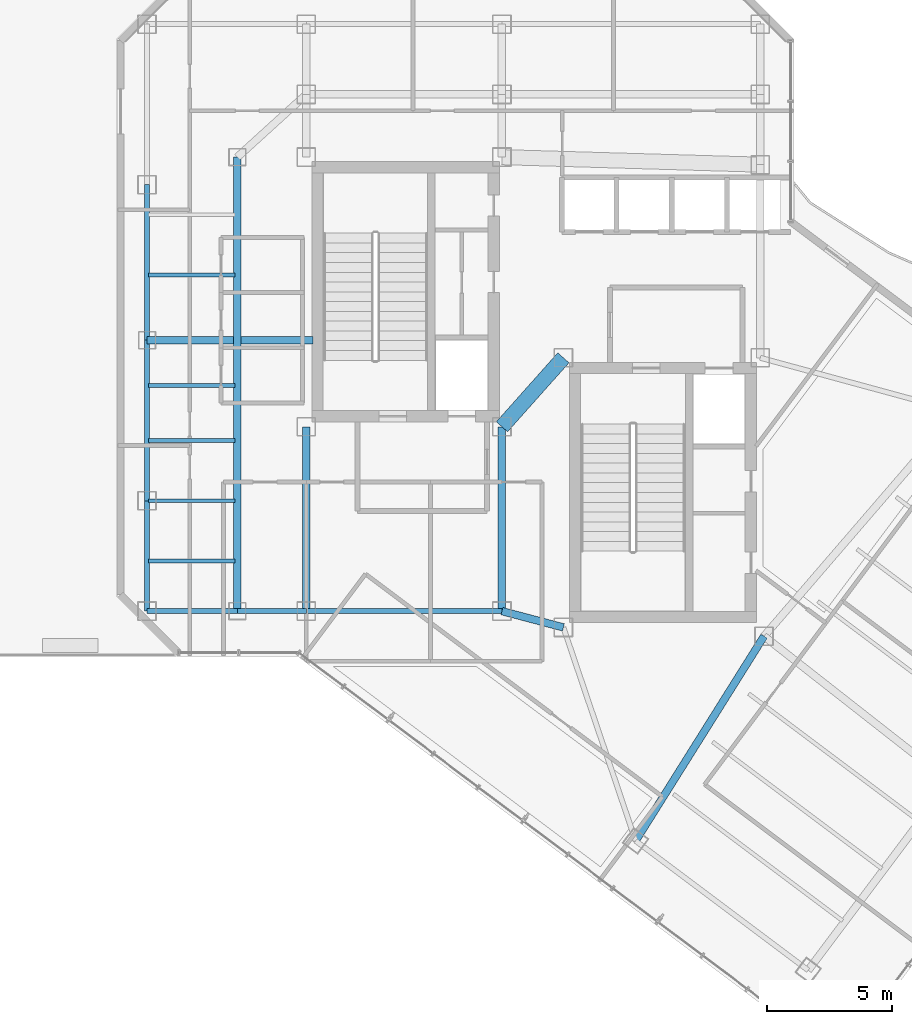
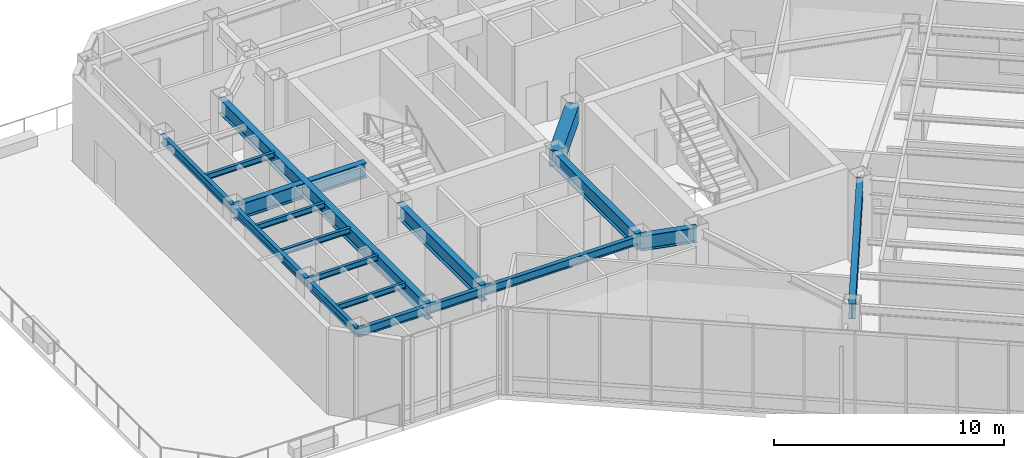
# One storey, part 6 of 21: 19 beams.
"""IFC4 building model written with IfcOpenShell, lengths in metres."""

from ifc_helpers import new_model, si_unit, direction, frame, origin, origin_2d, place, context, subcontext, project, spatial, rectangle, i_section, extrude, material, material_profile, profile_set, type_object, element, save


model = new_model("IFC4")

# Units and contexts
model_context = context("Model", 3, precision=1e-05, world=origin(), true_north=direction((0.0, 1.0)))
body_context = subcontext(model_context, "Body", "Model", "MODEL_VIEW")
ifc_project = project(units=[si_unit("LENGTHUNIT", "METRE"), si_unit("AREAUNIT", "SQUARE_METRE"), si_unit("VOLUMEUNIT", "CUBIC_METRE"), si_unit("PLANEANGLEUNIT", "RADIAN"), si_unit("MASSUNIT", "GRAM", prefix="KILO")], contexts=[model_context])

# Site, building, storey
site_placement = place(None, origin())
site = spatial("IfcSite", under=ifc_project, at=site_placement, CompositionType="ELEMENT")
building_placement = place(site_placement, origin())
building = spatial("IfcBuilding", under=site, at=building_placement, Name="Hatsunagi Terrace Concourse", CompositionType="ELEMENT")
storey_placement = place(building_placement, frame((0.0, 0.0, 186.75)))
storey = spatial("IfcBuildingStorey", under=building, at=storey_placement, Name="L49", CompositionType="ELEMENT", Elevation=186.75)

# Beams
ifc_material_1 = material(Name="Concrete Fc42", Category="concrete")
ifc_material_profile_1 = material_profile(ifc_material_1, rectangle(XDim=0.60009765625, YDim=0.89990234375, at=origin_2d()), Name="RC-600x900")
ifc_profile_set_1 = profile_set([ifc_material_profile_1], Name="Concrete Fc42")
beam_type_1 = type_object("IfcBeamType", Name="CoreCouplingBeam_RC_600x900", PredefinedType="BEAM", material=ifc_profile_set_1)
beam_1_placement = place(storey_placement, frame((33.35009765625, 32.550048828125, 4.10009765625), z_axis=(0.665198651008, 0.746666427997, 0.0), x_axis=(-0.746666427997, 0.665198651008, 0.0)))
element("IfcBeam", 1, at=beam_1_placement, inside=storey, type_object=beam_type_1, Name="Beam CB-03 CB-L49-1", PredefinedType="BEAM", context=body_context, shape_type="SweptSolid", body=[
    extrude(rectangle(XDim=0.60009765625, YDim=0.89990234375, at=origin_2d()), origin(), (0.0, 0.0, 1.0), 3.68310546875),
])
ifc_material_2 = material(Name="Steel SN490B", Category="steel")
ifc_material_profile_2 = material_profile(ifc_material_2, i_section(OverallWidth=0.14990234375, OverallDepth=0.300048828125, WebThickness=0.006591796875, FlangeThickness=0.009033203125, FilletRadius=0.010986328125, at=origin_2d()), Name="H-300x150x6.5x9")
ifc_profile_set_2 = profile_set([ifc_material_profile_2], Name="Steel SN490B")
beam_type_2 = type_object("IfcBeamType", Name="OfficeJoist_H_300x150", PredefinedType="JOIST", material=ifc_profile_set_2)
for number, where, z_axis, x_axis, name in (
    (2, (19.264892578125, 27.199951171875, 4.39990234375), (1.0, 0.0, 0.0), (0.0, 1.0, 0.0), "Beam J-03 J-L49-W-19-272"),
    (3, (19.264892578125, 29.60009765625, 4.39990234375), (1.0, 0.0, 0.0), (0.0, 1.0, 0.0), "Beam J-03 J-L49-W-19-296"),
    (4, (19.264892578125, 32.0, 4.39990234375), (1.0, 0.0, 0.0), (0.0, 1.0, 0.0), "Beam J-03 J-L49-W-19-320"),
    (5, (19.264892578125, 34.199951171875, 4.39990234375), (1.0, 0.0, 0.0), (0.0, 1.0, 0.0), "Beam J-03 J-L49-W-19-342"),
    (6, (19.264892578125, 38.60009765625, 4.39990234375), (1.0, 0.0, 0.0), (0.0, 1.0, 0.0), "Beam J-03 J-L49-W-19-386"),
):
    element("IfcBeam", number, at=place(storey_placement, frame(where, z_axis=z_axis, x_axis=x_axis)), inside=storey, type_object=beam_type_2, Name=name, PredefinedType="JOIST", context=body_context, shape_type="SweptSolid", body=[
        extrude(i_section(OverallWidth=0.14990234375, OverallDepth=0.300048828125, WebThickness=0.006591796875, FlangeThickness=0.009033203125, FilletRadius=0.010986328125, at=origin_2d()), origin(), (0.0, 0.0, 1.0), 3.4501953125),
    ])
ifc_material_3 = material(Name="Steel SN490B", Category="steel")
ifc_material_profile_3 = material_profile(ifc_material_3, i_section(OverallWidth=0.199951171875, OverallDepth=0.449951171875, WebThickness=0.009033203125, FlangeThickness=0.013916015625, FilletRadius=0.01611328125, at=origin_2d()), Name="H-450x200x9x14")
ifc_profile_set_3 = profile_set([ifc_material_profile_3], Name="Steel SN490B")
beam_type_3 = type_object("IfcBeamType", Name="PerimeterSpandrel_H_450x200", PredefinedType="SPANDREL", material=ifc_profile_set_3)
beam_2_placement = place(storey_placement, frame((19.199951171875, 25.199951171875, 4.324951171875), z_axis=(1.0, 0.0, 0.0), x_axis=(0.0, 1.0, 0.0)))
element("IfcBeam", 7, at=beam_2_placement, inside=storey, type_object=beam_type_3, Name="Beam SP-02 BM-L49-WS-19", PredefinedType="SPANDREL", context=body_context, shape_type="SweptSolid", body=[
    extrude(i_section(OverallWidth=0.199951171875, OverallDepth=0.449951171875, WebThickness=0.009033203125, FlangeThickness=0.013916015625, FilletRadius=0.01611328125, at=origin_2d()), origin(), (0.0, 0.0, 1.0), 3.60009765625),
])
beam_3_placement = place(storey_placement, frame((22.800048828125, 25.199951171875, 4.324951171875), z_axis=(1.0, 0.0, 0.0), x_axis=(0.0, 1.0, 0.0)))
element("IfcBeam", 8, at=beam_3_placement, inside=storey, type_object=beam_type_3, Name="Beam SP-02 BM-L49-WS-22", PredefinedType="SPANDREL", context=body_context, shape_type="SweptSolid", body=[
    extrude(i_section(OverallWidth=0.199951171875, OverallDepth=0.449951171875, WebThickness=0.009033203125, FlangeThickness=0.013916015625, FilletRadius=0.01611328125, at=origin_2d()), origin(), (0.0, 0.0, 1.0), 2.75),
])
beam_4_placement = place(storey_placement, frame((25.550048828125, 25.199951171875, 4.324951171875), z_axis=(1.0, 0.0, 0.0), x_axis=(0.0, 1.0, 0.0)))
element("IfcBeam", 9, at=beam_4_placement, inside=storey, type_object=beam_type_3, Name="Beam SP-02 BM-L49-WS-25", PredefinedType="SPANDREL", context=body_context, shape_type="SweptSolid", body=[
    extrude(i_section(OverallWidth=0.199951171875, OverallDepth=0.449951171875, WebThickness=0.009033203125, FlangeThickness=0.013916015625, FilletRadius=0.01611328125, at=origin_2d()), origin(), (0.0, 0.0, 1.0), 7.800048828125),
])
beam_5_placement = place(storey_placement, frame((19.199951171875, 25.199951171875, 4.324951171875), z_axis=(0.0, 1.0, 0.0), x_axis=(-1.0, 0.0, 0.0)))
element("IfcBeam", 10, at=beam_5_placement, inside=storey, type_object=beam_type_3, Name="Beam SP-02 BM-L49-NS-19-25", PredefinedType="SPANDREL", context=body_context, shape_type="SweptSolid", body=[
    extrude(i_section(OverallWidth=0.199951171875, OverallDepth=0.449951171875, WebThickness=0.009033203125, FlangeThickness=0.013916015625, FilletRadius=0.01611328125, at=origin_2d()), origin(), (0.0, 0.0, 1.0), 4.400146484375),
])
beam_6_placement = place(storey_placement, frame((19.199951171875, 29.60009765625, 4.324951171875), z_axis=(0.0, 1.0, 0.0), x_axis=(-1.0, 0.0, 0.0)))
element("IfcBeam", 11, at=beam_6_placement, inside=storey, type_object=beam_type_3, Name="Beam SP-02 BM-L49-NS-19-29", PredefinedType="SPANDREL", context=body_context, shape_type="SweptSolid", body=[
    extrude(i_section(OverallWidth=0.199951171875, OverallDepth=0.449951171875, WebThickness=0.009033203125, FlangeThickness=0.013916015625, FilletRadius=0.01611328125, at=origin_2d()), origin(), (0.0, 0.0, 1.0), 6.39990234375),
])
beam_7_placement = place(storey_placement, frame((19.199951171875, 36.0, 4.324951171875), z_axis=(0.0, 1.0, 0.0), x_axis=(-1.0, 0.0, 0.0)))
element("IfcBeam", 12, at=beam_7_placement, inside=storey, type_object=beam_type_3, Name="Beam SP-02 BM-L49-NS-19-36", PredefinedType="SPANDREL", context=body_context, shape_type="SweptSolid", body=[
    extrude(i_section(OverallWidth=0.199951171875, OverallDepth=0.449951171875, WebThickness=0.009033203125, FlangeThickness=0.013916015625, FilletRadius=0.01611328125, at=origin_2d()), origin(), (0.0, 0.0, 1.0), 6.199951171875),
])
ifc_material_4 = material(Name="Steel SN490B", Category="steel")
ifc_material_profile_4 = material_profile(ifc_material_4, i_section(OverallWidth=0.300048828125, OverallDepth=0.800048828125, WebThickness=0.013916015625, FlangeThickness=0.02587890625, FilletRadius=0.02197265625, at=origin_2d()), Name="H-800x300x14x26")
ifc_profile_set_4 = profile_set([ifc_material_profile_4], Name="Steel SN490B")
beam_type_4 = type_object("IfcBeamType", Name="SkyLobbyGirder_H_800x300", PredefinedType="BEAM", material=ifc_profile_set_4)
for number, where, z_axis, x_axis, name in (
    (13, (25.550048828125, 25.199951171875, 4.14990234375), (0.0, 1.0, 0.0), (-1.0, 0.0, 0.0), "Beam G-03 BM-L49-K1CA"),
    (14, (33.35009765625, 25.199951171875, 4.14990234375), (0.0, 1.0, 0.0), (-1.0, 0.0, 0.0), "Beam G-03 BM-L49-K2CA"),
):
    element("IfcBeam", number, at=place(storey_placement, frame(where, z_axis=z_axis, x_axis=x_axis)), inside=storey, type_object=beam_type_4, Name=name, PredefinedType="BEAM", context=body_context, shape_type="SweptSolid", body=[
        extrude(i_section(OverallWidth=0.300048828125, OverallDepth=0.800048828125, WebThickness=0.013916015625, FlangeThickness=0.02587890625, FilletRadius=0.02197265625, at=origin_2d()), origin(), (0.0, 0.0, 1.0), 7.35009765625),
    ])
beam_8_placement = place(storey_placement, frame((33.35009765625, 25.199951171875, 4.14990234375), z_axis=(0.966569840116, -0.256403479262, 0.0), x_axis=(0.256403479262, 0.966569840116, 0.0)))
element("IfcBeam", 15, at=beam_8_placement, inside=storey, type_object=beam_type_4, Name="Beam G-03 BM-L49-K2CB", PredefinedType="BEAM", context=body_context, shape_type="SweptSolid", body=[
    extrude(i_section(OverallWidth=0.300048828125, OverallDepth=0.800048828125, WebThickness=0.013916015625, FlangeThickness=0.02587890625, FilletRadius=0.02197265625, at=origin_2d()), origin(), (0.0, 0.0, 1.0), 2.53466796875),
])
beam_9_placement = place(storey_placement, frame((22.800048828125, 25.199951171875, 4.14990234375), z_axis=(0.0, 1.0, 0.0), x_axis=(-1.0, 0.0, 0.0)))
element("IfcBeam", 16, at=beam_9_placement, inside=storey, type_object=beam_type_4, Name="Beam G-03 BM-L49-CWNS", PredefinedType="BEAM", context=body_context, shape_type="SweptSolid", body=[
    extrude(i_section(OverallWidth=0.300048828125, OverallDepth=0.800048828125, WebThickness=0.013916015625, FlangeThickness=0.02587890625, FilletRadius=0.02197265625, at=origin_2d()), origin(), (0.0, 0.0, 1.0), 18.10009765625),
])
beam_10_placement = place(storey_placement, frame((19.199951171875, 36.0, 4.14990234375), z_axis=(1.0, 0.0, 0.0), x_axis=(0.0, 1.0, 0.0)))
element("IfcBeam", 17, at=beam_10_placement, inside=storey, type_object=beam_type_4, Name="Beam G-03 BM-L49-EW-3", PredefinedType="BEAM", context=body_context, shape_type="SweptSolid", body=[
    extrude(i_section(OverallWidth=0.300048828125, OverallDepth=0.800048828125, WebThickness=0.013916015625, FlangeThickness=0.02587890625, FilletRadius=0.02197265625, at=origin_2d()), origin(), (0.0, 0.0, 1.0), 3.449951171875),
])
beam_11_placement = place(storey_placement, frame((22.949951171875, 36.0, 4.14990234375), z_axis=(1.0, 0.0, 0.0), x_axis=(0.0, 1.0, 0.0)))
element("IfcBeam", 18, at=beam_11_placement, inside=storey, type_object=beam_type_4, Name="Beam G-03 BM-L49-EW-4", PredefinedType="BEAM", context=body_context, shape_type="SweptSolid", body=[
    extrude(i_section(OverallWidth=0.300048828125, OverallDepth=0.800048828125, WebThickness=0.013916015625, FlangeThickness=0.02587890625, FilletRadius=0.02197265625, at=origin_2d()), origin(), (0.0, 0.0, 1.0), 2.860107421875),
])
beam_12_placement = place(storey_placement, frame((38.679931640625, 16.0400390625, 4.14990234375), z_axis=(0.531503907049, 0.847055840421, 0.0), x_axis=(-0.847055840421, 0.531503907049, 0.0)))
element("IfcBeam", 19, at=beam_12_placement, inside=storey, type_object=beam_type_4, Name="Beam G-03 BM-L49-SET-1A", PredefinedType="BEAM", context=body_context, shape_type="SweptSolid", body=[
    extrude(i_section(OverallWidth=0.300048828125, OverallDepth=0.800048828125, WebThickness=0.013916015625, FlangeThickness=0.02587890625, FilletRadius=0.02197265625, at=origin_2d()), origin(), (0.0, 0.0, 1.0), 9.63330078125),
])

save(model, "model.ifc")
